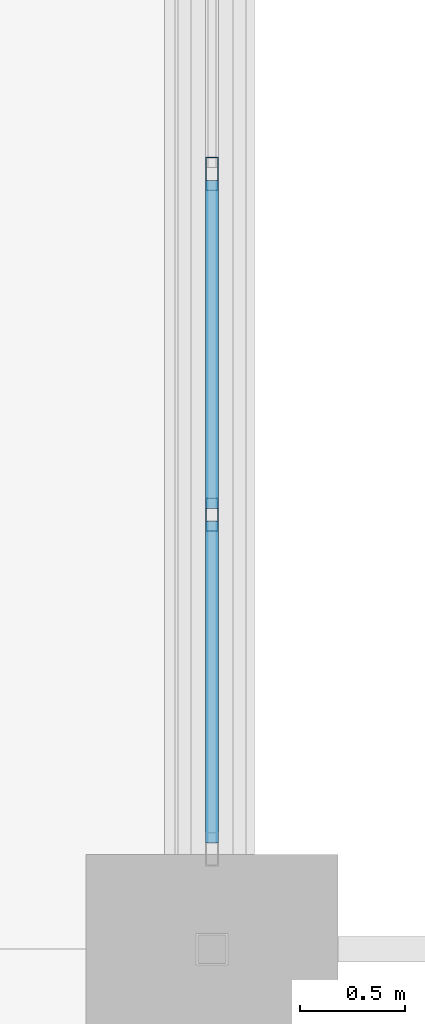
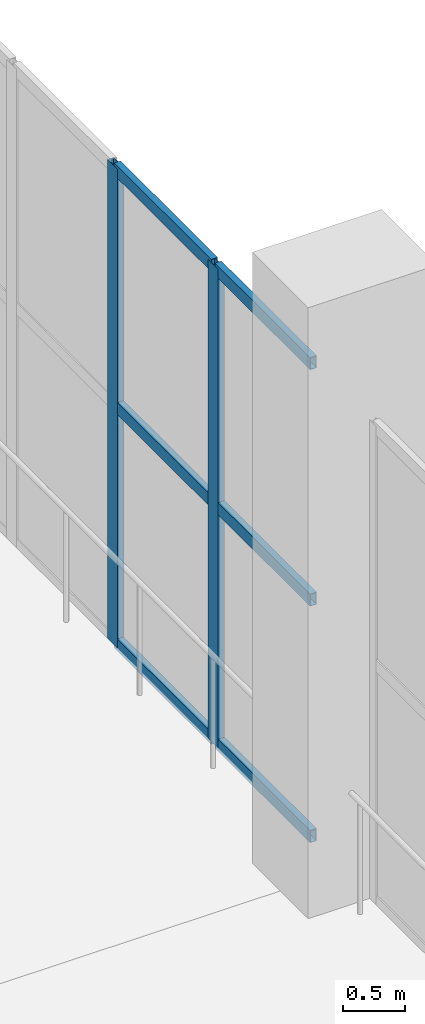
# One storey, part 114 of 223: 8 members, 1 element without a shape of its own.
"""IFC4 building model written with IfcOpenShell, lengths in metres."""

from ifc_helpers import new_model, si_unit, direction, frame, origin, origin_2d, place, context, subcontext, project, spatial, hollow_rectangle, extrude, material, layer, layer_set, material_profile, profile_set, type_object, element, aggregate, save


model = new_model("IFC4")

# Units and contexts
model_context = context("Model", 3, precision=1e-05, world=origin(), true_north=direction((0.0, 1.0)))
body_context = subcontext(model_context, "Body", "Model", "MODEL_VIEW")
ifc_project = project(units=[si_unit("LENGTHUNIT", "METRE"), si_unit("AREAUNIT", "SQUARE_METRE"), si_unit("VOLUMEUNIT", "CUBIC_METRE"), si_unit("PLANEANGLEUNIT", "RADIAN"), si_unit("MASSUNIT", "GRAM", prefix="KILO")], contexts=[model_context])

# Site, building, storey
site_placement = place(None, origin())
site = spatial("IfcSite", under=ifc_project, at=site_placement, CompositionType="ELEMENT")
building_placement = place(site_placement, origin())
building = spatial("IfcBuilding", under=site, at=building_placement, Name="Dornveld Trade and Exhibition Forum", CompositionType="ELEMENT")
storey_placement = place(building_placement, frame((0.0, 0.0, 6.0)))
storey = spatial("IfcBuildingStorey", under=building, at=storey_placement, Name="L01", CompositionType="ELEMENT", Elevation=6.0)

# Curtain wall, members
ifc_material_1 = material(Name="Dark-bronze anodised aluminium and low-E glass", Category="aluminium")
ifc_layer = layer(ifc_material_1, 0.18408203125)
ifc_layer_set = layer_set([ifc_layer], Name="Dark-bronze anodised aluminium and low-E glass")
curtain_wall_type = type_object("IfcCurtainWallType", Name="CW-SYS-14", PredefinedType="USERDEFINED", material=ifc_layer_set)
curtain_wall_placement = place(storey_placement, origin())
curtain_wall = element("IfcCurtainWall", 1, at=curtain_wall_placement, inside=storey, type_object=curtain_wall_type, Name="L01 unitised curtain wall 14", ObjectType="UNITISED_CURTAIN_WALL", PredefinedType="USERDEFINED")
ifc_material_2 = material(Name="Dark-bronze anodised aluminium", Category="aluminium")
ifc_material_profile_1 = material_profile(ifc_material_2, hollow_rectangle(XDim=0.06005859375, YDim=0.159912109375, WallThickness=0.00390625, at=origin_2d()), Name="RHS 160x60x4")
ifc_profile_set_1 = profile_set([ifc_material_profile_1], Name="Dark-bronze anodised aluminium")
member_type_1 = type_object("IfcMemberType", Name="CW-MUL-160", PredefinedType="MULLION", material=ifc_profile_set_1)
member_1_placement = place(storey_placement, frame((99.0, 138.689208984375, -0.00390625), z_axis=(0.0, 0.0, 1.0), x_axis=(1.0, 0.0, 0.0)))
member_1 = element("IfcMember", 2, at=member_1_placement, type_object=member_type_1, Name="CW-14 mullion 4", PredefinedType="MULLION", context=body_context, shape_type="SweptSolid", body=[
    extrude(hollow_rectangle(XDim=0.06005859375, YDim=0.159912109375, WallThickness=0.00390625, at=origin_2d()), origin(), (0.0, 0.0, 1.0), 4.703857421875),
])
member_2_placement = place(storey_placement, frame((99.0, 137.067626953125, -0.00390625), z_axis=(0.0, 0.0, 1.0), x_axis=(1.0, 0.0, 0.0)))
member_2 = element("IfcMember", 3, at=member_2_placement, type_object=member_type_1, Name="CW-14 mullion 5", PredefinedType="MULLION", context=body_context, shape_type="SweptSolid", body=[
    extrude(hollow_rectangle(XDim=0.06005859375, YDim=0.159912109375, WallThickness=0.00390625, at=origin_2d()), origin(), (0.0, 0.0, 1.0), 4.703857421875),
])
ifc_material_3 = material(Name="Dark-bronze anodised aluminium", Category="aluminium")
ifc_material_profile_2 = material_profile(ifc_material_3, hollow_rectangle(XDim=0.06005859375, YDim=0.1201171875, WallThickness=0.00390625, at=origin_2d()), Name="RHS 120x60x4")
ifc_profile_set_2 = profile_set([ifc_material_profile_2], Name="Dark-bronze anodised aluminium")
member_type_2 = type_object("IfcMemberType", Name="CW-TRN-120", PredefinedType="USERDEFINED", material=ifc_profile_set_2)
member_3_placement = place(storey_placement, frame((99.0, 138.6591796875, 0.02587890625), z_axis=(0.0, -1.0, 0.0), x_axis=(1.0, 0.0, 0.0)))
member_3 = element("IfcMember", 4, at=member_3_placement, type_object=member_type_2, Name="CW-14 transom 4.1", ObjectType="TRANSOM", PredefinedType="USERDEFINED", context=body_context, shape_type="SweptSolid", body=[
    extrude(hollow_rectangle(XDim=0.06005859375, YDim=0.1201171875, WallThickness=0.00390625, at=origin_2d()), origin(), (0.0, 0.0, 1.0), 1.5615234375),
])
member_4_placement = place(storey_placement, frame((99.0, 138.6591796875, 2.347900390625), z_axis=(0.0, -1.0, 0.0), x_axis=(1.0, 0.0, 0.0)))
member_4 = element("IfcMember", 5, at=member_4_placement, type_object=member_type_2, Name="CW-14 transom 4.2", ObjectType="TRANSOM", PredefinedType="USERDEFINED", context=body_context, shape_type="SweptSolid", body=[
    extrude(hollow_rectangle(XDim=0.06005859375, YDim=0.1201171875, WallThickness=0.00390625, at=origin_2d()), origin(), (0.0, 0.0, 1.0), 1.5615234375),
])
member_5_placement = place(storey_placement, frame((99.0, 138.6591796875, 4.669921875), z_axis=(0.0, -1.0, 0.0), x_axis=(1.0, 0.0, 0.0)))
member_5 = element("IfcMember", 6, at=member_5_placement, type_object=member_type_2, Name="CW-14 transom 4.3", ObjectType="TRANSOM", PredefinedType="USERDEFINED", context=body_context, shape_type="SweptSolid", body=[
    extrude(hollow_rectangle(XDim=0.06005859375, YDim=0.1201171875, WallThickness=0.00390625, at=origin_2d()), origin(), (0.0, 0.0, 1.0), 1.5615234375),
])
member_6_placement = place(storey_placement, frame((99.0, 137.03759765625, 0.02587890625), z_axis=(0.0, -1.0, 0.0), x_axis=(1.0, 0.0, 0.0)))
member_6 = element("IfcMember", 7, at=member_6_placement, type_object=member_type_2, Name="CW-14 transom 5.1", ObjectType="TRANSOM", PredefinedType="USERDEFINED", context=body_context, shape_type="SweptSolid", body=[
    extrude(hollow_rectangle(XDim=0.06005859375, YDim=0.1201171875, WallThickness=0.00390625, at=origin_2d()), origin(), (0.0, 0.0, 1.0), 1.531494140625),
])
member_7_placement = place(storey_placement, frame((99.0, 137.03759765625, 2.347900390625), z_axis=(0.0, -1.0, 0.0), x_axis=(1.0, 0.0, 0.0)))
member_7 = element("IfcMember", 8, at=member_7_placement, type_object=member_type_2, Name="CW-14 transom 5.2", ObjectType="TRANSOM", PredefinedType="USERDEFINED", context=body_context, shape_type="SweptSolid", body=[
    extrude(hollow_rectangle(XDim=0.06005859375, YDim=0.1201171875, WallThickness=0.00390625, at=origin_2d()), origin(), (0.0, 0.0, 1.0), 1.531494140625),
])
member_8_placement = place(storey_placement, frame((99.0, 137.03759765625, 4.669921875), z_axis=(0.0, -1.0, 0.0), x_axis=(1.0, 0.0, 0.0)))
member_8 = element("IfcMember", 9, at=member_8_placement, type_object=member_type_2, Name="CW-14 transom 5.3", ObjectType="TRANSOM", PredefinedType="USERDEFINED", context=body_context, shape_type="SweptSolid", body=[
    extrude(hollow_rectangle(XDim=0.06005859375, YDim=0.1201171875, WallThickness=0.00390625, at=origin_2d()), origin(), (0.0, 0.0, 1.0), 1.531494140625),
])
aggregate(curtain_wall, [member_1, member_2, member_3, member_4, member_5, member_6, member_7, member_8])

save(model, "model.ifc")
